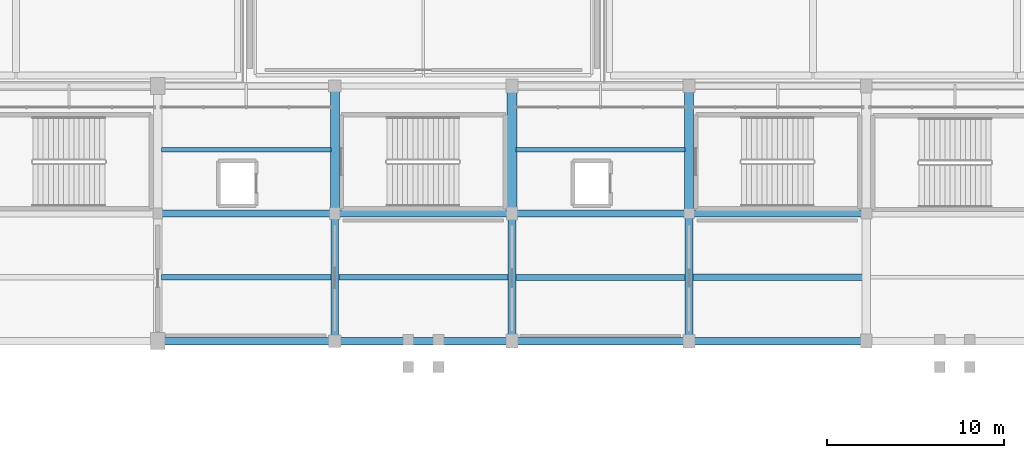
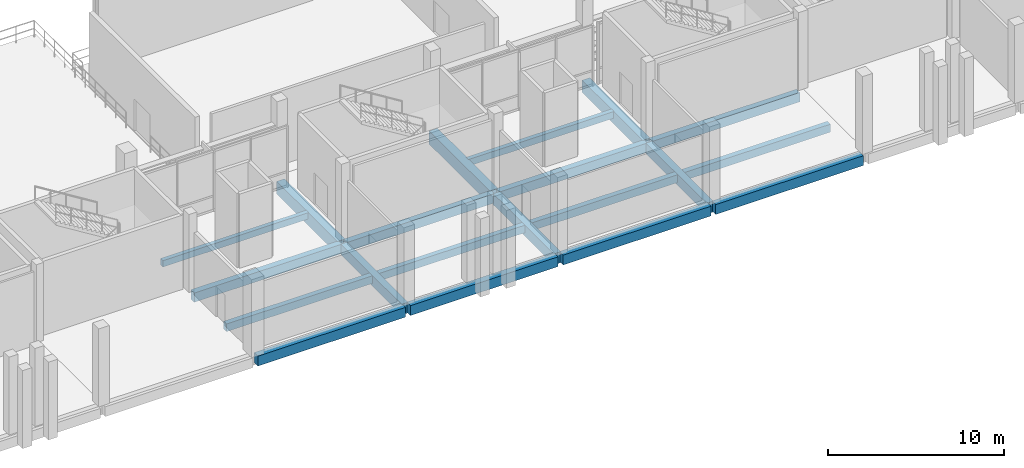
# One storey, part 50 of 111: 20 beams.
"""IFC4 building model written with IfcOpenShell, lengths in metres."""

from ifc_helpers import new_model, si_unit, direction, frame, origin, origin_2d, place, context, subcontext, project, spatial, rectangle, extrude, material, material_profile, profile_set, type_object, element, save


model = new_model("IFC4")

# Units and contexts
model_context = context("Model", 3, precision=1e-05, world=origin(), true_north=direction((0.0, 1.0)))
body_context = subcontext(model_context, "Body", "Model", "MODEL_VIEW")
ifc_project = project(units=[si_unit("LENGTHUNIT", "METRE"), si_unit("AREAUNIT", "SQUARE_METRE"), si_unit("VOLUMEUNIT", "CUBIC_METRE"), si_unit("PLANEANGLEUNIT", "RADIAN"), si_unit("MASSUNIT", "GRAM", prefix="KILO")], contexts=[model_context])

# Site, building, storey
site_placement = place(None, origin())
site = spatial("IfcSite", under=ifc_project, at=site_placement, CompositionType="ELEMENT")
building_placement = place(site_placement, origin())
building = spatial("IfcBuilding", under=site, at=building_placement, Name="Candeia Ridge Stadium", CompositionType="ELEMENT")
storey_placement = place(building_placement, frame((0.0, 0.0, 16.199951171875)))
storey = spatial("IfcBuildingStorey", under=building, at=storey_placement, Name="L03", CompositionType="ELEMENT", Elevation=16.199951171875)

# Beams
ifc_material_1 = material(Name="Concrete C45/55", Category="concrete")
ifc_material_profile_1 = material_profile(ifc_material_1, rectangle(XDim=0.449951171875, YDim=0.75, at=origin_2d()), Name="RC450x750", Category="concrete")
ifc_profile_set_1 = profile_set([ifc_material_profile_1], Name="Concrete C45/55")
beam_type_1 = type_object("IfcBeamType", Name="Bowl Radial Girder RC450x750", PredefinedType="BEAM", material=ifc_profile_set_1)
beam_1_placement = place(storey_placement, frame((121.0, 132.760009765625, -0.625), z_axis=(0.0, 1.0, 0.0), x_axis=(-1.0, 0.0, 0.0)))
element("IfcBeam", 1, at=beam_1_placement, inside=storey, type_object=beam_type_1, Name="Bowl radial girder BM-L03-0485", PredefinedType="BEAM", context=body_context, shape_type="SweptSolid", body=[
    extrude(rectangle(XDim=0.449951171875, YDim=0.75, at=origin_2d()), origin(), (0.0, 0.0, 1.0), 6.8798828125),
])
ifc_material_2 = material(Name="Concrete C40/50", Category="concrete")
ifc_material_profile_2 = material_profile(ifc_material_2, rectangle(XDim=0.35009765625, YDim=0.550048828125, at=origin_2d()), Name="RC350x550", Category="concrete")
ifc_profile_set_2 = profile_set([ifc_material_profile_2], Name="Concrete C40/50")
beam_type_2 = type_object("IfcBeamType", Name="Concourse Concrete Joist RC350x550", PredefinedType="JOIST", material=ifc_profile_set_2)
beam_2_placement = place(storey_placement, frame((130.778076171875, 136.199951171875, -0.52490234375), z_axis=(-1.0, 0.0, 0.0), x_axis=(0.0, -1.0, 0.0)))
element("IfcBeam", 2, at=beam_2_placement, inside=storey, type_object=beam_type_2, Name="Concourse secondary joist BM-L03-0560", PredefinedType="JOIST", context=body_context, shape_type="SweptSolid", body=[
    extrude(rectangle(XDim=0.35009765625, YDim=0.550048828125, at=origin_2d()), origin(), (0.0, 0.0, 1.0), 9.55615234375),
])
ifc_material_profile_3 = material_profile(ifc_material_2, rectangle(XDim=0.27001953125, YDim=0.43994140625, at=origin_2d()), Name="RC270x440", Category="concrete")
ifc_profile_set_3 = profile_set([ifc_material_profile_3], Name="Concrete C40/50")
beam_type_3 = type_object("IfcBeamType", Name="Floor Joist RC270x440", PredefinedType="JOIST", material=ifc_profile_set_3)
beam_3_placement = place(storey_placement, frame((100.778076171875, 143.39990234375, -0.469970703125), z_axis=(-1.0, 0.0, 0.0), x_axis=(0.0, -1.0, 0.0)))
element("IfcBeam", 3, at=beam_3_placement, inside=storey, type_object=beam_type_3, Name="Concourse secondary joist BM-L03-0574", PredefinedType="JOIST", context=body_context, shape_type="SweptSolid", body=[
    extrude(rectangle(XDim=0.27001953125, YDim=0.43994140625, at=origin_2d()), origin(), (0.0, 0.0, 1.0), 9.55615234375),
])
ifc_material_profile_4 = material_profile(ifc_material_2, rectangle(XDim=0.280029296875, YDim=0.4599609375, at=origin_2d()), Name="RC280x460", Category="concrete")
ifc_profile_set_4 = profile_set([ifc_material_profile_4], Name="Concrete C40/50")
beam_type_4 = type_object("IfcBeamType", Name="Floor Joist RC280x460", PredefinedType="JOIST", material=ifc_profile_set_4)
beam_4_placement = place(storey_placement, frame((120.778076171875, 143.39990234375, -0.47998046875), z_axis=(-1.0, 0.0, 0.0), x_axis=(0.0, -1.0, 0.0)))
element("IfcBeam", 4, at=beam_4_placement, inside=storey, type_object=beam_type_4, Name="Concourse secondary joist BM-L03-0565", PredefinedType="JOIST", context=body_context, shape_type="SweptSolid", body=[
    extrude(rectangle(XDim=0.280029296875, YDim=0.4599609375, at=origin_2d()), origin(), (0.0, 0.0, 1.0), 9.55615234375),
])
ifc_material_profile_5 = material_profile(ifc_material_2, rectangle(XDim=0.320068359375, YDim=0.52001953125, at=origin_2d()), Name="RC320x520", Category="concrete")
ifc_profile_set_5 = profile_set([ifc_material_profile_5], Name="Concrete C40/50")
beam_type_5 = type_object("IfcBeamType", Name="Floor Joist RC320x520", PredefinedType="JOIST", material=ifc_profile_set_5)
beam_5_placement = place(storey_placement, frame((110.778076171875, 136.199951171875, -0.510009765625), z_axis=(-1.0, 0.0, 0.0), x_axis=(0.0, -1.0, 0.0)))
element("IfcBeam", 5, at=beam_5_placement, inside=storey, type_object=beam_type_5, Name="Concourse secondary joist BM-L03-0569", PredefinedType="JOIST", context=body_context, shape_type="SweptSolid", body=[
    extrude(rectangle(XDim=0.320068359375, YDim=0.52001953125, at=origin_2d()), origin(), (0.0, 0.0, 1.0), 9.55615234375),
])
ifc_material_profile_6 = material_profile(ifc_material_2, rectangle(XDim=0.330078125, YDim=0.530029296875, at=origin_2d()), Name="RC330x530", Category="concrete")
ifc_profile_set_6 = profile_set([ifc_material_profile_6], Name="Concrete C40/50")
beam_type_6 = type_object("IfcBeamType", Name="Floor Joist RC330x530", PredefinedType="JOIST", material=ifc_profile_set_6)
beam_6_placement = place(storey_placement, frame((100.778076171875, 136.199951171875, -0.514892578125), z_axis=(-1.0, 0.0, 0.0), x_axis=(0.0, -1.0, 0.0)))
element("IfcBeam", 6, at=beam_6_placement, inside=storey, type_object=beam_type_6, Name="Concourse secondary joist BM-L03-0573", PredefinedType="JOIST", context=body_context, shape_type="SweptSolid", body=[
    extrude(rectangle(XDim=0.330078125, YDim=0.530029296875, at=origin_2d()), origin(), (0.0, 0.0, 1.0), 9.55615234375),
])
ifc_material_profile_7 = material_profile(ifc_material_2, rectangle(XDim=0.340087890625, YDim=0.5400390625, at=origin_2d()), Name="RC340x540", Category="concrete")
ifc_profile_set_7 = profile_set([ifc_material_profile_7], Name="Concrete C40/50")
beam_type_7 = type_object("IfcBeamType", Name="Floor Joist RC340x540", PredefinedType="JOIST", material=ifc_profile_set_7)
beam_7_placement = place(storey_placement, frame((120.778076171875, 136.199951171875, -0.52001953125), z_axis=(-1.0, 0.0, 0.0), x_axis=(0.0, -1.0, 0.0)))
element("IfcBeam", 7, at=beam_7_placement, inside=storey, type_object=beam_type_7, Name="Concourse secondary joist BM-L03-0564", PredefinedType="JOIST", context=body_context, shape_type="SweptSolid", body=[
    extrude(rectangle(XDim=0.340087890625, YDim=0.5400390625, at=origin_2d()), origin(), (0.0, 0.0, 1.0), 9.55615234375),
])
ifc_material_profile_8 = material_profile(ifc_material_2, rectangle(XDim=0.389892578125, YDim=0.639892578125, at=origin_2d()), Name="RC390x640", Category="concrete")
ifc_profile_set_8 = profile_set([ifc_material_profile_8], Name="Concrete C40/50")
beam_type_8 = type_object("IfcBeamType", Name="Frame Girder RC390x640", PredefinedType="BEAM", material=ifc_profile_set_8)
for number, where, z_axis, x_axis, name in (
    (8, (130.840087890625, 139.800048828125, -0.570068359375), (-1.0, 0.0, 0.0), (0.0, -1.0, 0.0), "Concourse spine girder BM-L03-0558"),
    (9, (120.840087890625, 139.800048828125, -0.570068359375), (-1.0, 0.0, 0.0), (0.0, -1.0, 0.0), "Concourse spine girder BM-L03-0562"),
    (10, (110.840087890625, 139.800048828125, -0.570068359375), (-1.0, 0.0, 0.0), (0.0, -1.0, 0.0), "Concourse spine girder BM-L03-0567"),
    (11, (100.840087890625, 139.800048828125, -0.570068359375), (-1.0, 0.0, 0.0), (0.0, -1.0, 0.0), "Concourse spine girder BM-L03-0571"),
):
    element("IfcBeam", number, at=place(storey_placement, frame(where, z_axis=z_axis, x_axis=x_axis)), inside=storey, type_object=beam_type_8, Name=name, PredefinedType="BEAM", context=body_context, shape_type="SweptSolid", body=[
        extrude(rectangle(XDim=0.389892578125, YDim=0.639892578125, at=origin_2d()), origin(), (0.0, 0.0, 1.0), 9.68017578125),
    ])
ifc_material_profile_9 = material_profile(ifc_material_2, rectangle(XDim=0.419921875, YDim=0.679931640625, at=origin_2d()), Name="RC420x680", Category="concrete")
ifc_profile_set_9 = profile_set([ifc_material_profile_9], Name="Concrete C40/50")
beam_type_9 = type_object("IfcBeamType", Name="Frame Girder RC420x680", PredefinedType="BEAM", material=ifc_profile_set_9)
for number, where, z_axis, x_axis, name in (
    (12, (130.840087890625, 132.60009765625, -0.58984375), (-1.0, 0.0, 0.0), (0.0, -1.0, 0.0), "Bowl inner ring girder BM-L03-0557"),
    (13, (120.840087890625, 132.60009765625, -0.58984375), (-1.0, 0.0, 0.0), (0.0, -1.0, 0.0), "Bowl inner ring girder BM-L03-0561"),
    (14, (110.840087890625, 132.60009765625, -0.58984375), (-1.0, 0.0, 0.0), (0.0, -1.0, 0.0), "Bowl inner ring girder BM-L03-0566"),
    (15, (100.840087890625, 132.60009765625, -0.58984375), (-1.0, 0.0, 0.0), (0.0, -1.0, 0.0), "Bowl inner ring girder BM-L03-0570"),
):
    element("IfcBeam", number, at=place(storey_placement, frame(where, z_axis=z_axis, x_axis=x_axis)), inside=storey, type_object=beam_type_9, Name=name, PredefinedType="BEAM", context=body_context, shape_type="SweptSolid", body=[
        extrude(rectangle(XDim=0.419921875, YDim=0.679931640625, at=origin_2d()), origin(), (0.0, 0.0, 1.0), 9.68017578125),
    ])
ifc_material_profile_10 = material_profile(ifc_material_2, rectangle(XDim=0.429931640625, YDim=0.739990234375, at=origin_2d()), Name="RC430x740", Category="concrete")
ifc_profile_set_10 = profile_set([ifc_material_profile_10], Name="Concrete C40/50")
beam_type_10 = type_object("IfcBeamType", Name="Frame Girder RC430x740", PredefinedType="BEAM", material=ifc_profile_set_10)
beam_8_placement = place(storey_placement, frame((101.0, 132.760009765625, -0.619873046875), z_axis=(0.0, 1.0, 0.0), x_axis=(-1.0, 0.0, 0.0)))
element("IfcBeam", 16, at=beam_8_placement, inside=storey, type_object=beam_type_10, Name="Bowl radial girder BM-L03-0489", PredefinedType="BEAM", context=body_context, shape_type="SweptSolid", body=[
    extrude(rectangle(XDim=0.429931640625, YDim=0.739990234375, at=origin_2d()), origin(), (0.0, 0.0, 1.0), 6.8798828125),
])
ifc_material_profile_11 = material_profile(ifc_material_2, rectangle(XDim=0.469970703125, YDim=0.760009765625, at=origin_2d()), Name="RC470x760", Category="concrete")
ifc_profile_set_11 = profile_set([ifc_material_profile_11], Name="Concrete C40/50")
beam_type_11 = type_object("IfcBeamType", Name="Frame Girder RC470x760", PredefinedType="BEAM", material=ifc_profile_set_11)
beam_9_placement = place(storey_placement, frame((111.0, 132.760009765625, -0.6298828125), z_axis=(0.0, 1.0, 0.0), x_axis=(-1.0, 0.0, 0.0)))
element("IfcBeam", 17, at=beam_9_placement, inside=storey, type_object=beam_type_11, Name="Bowl radial girder BM-L03-0487", PredefinedType="BEAM", context=body_context, shape_type="SweptSolid", body=[
    extrude(rectangle(XDim=0.469970703125, YDim=0.760009765625, at=origin_2d()), origin(), (0.0, 0.0, 1.0), 6.8798828125),
])
ifc_material_profile_12 = material_profile(ifc_material_1, rectangle(XDim=0.5, YDim=0.85009765625, at=origin_2d()), Name="RC500x850", Category="concrete")
ifc_profile_set_12 = profile_set([ifc_material_profile_12], Name="Concrete C45/55")
beam_type_12 = type_object("IfcBeamType", Name="Frame Girder RC500x850", PredefinedType="BEAM", material=ifc_profile_set_12)
beam_10_placement = place(storey_placement, frame((121.0, 139.9599609375, -0.675048828125), z_axis=(0.0, 1.0, 0.0), x_axis=(-1.0, 0.0, 0.0)))
element("IfcBeam", 18, at=beam_10_placement, inside=storey, type_object=beam_type_12, Name="Bowl radial girder BM-L03-0486", PredefinedType="BEAM", context=body_context, shape_type="SweptSolid", body=[
    extrude(rectangle(XDim=0.5, YDim=0.85009765625, at=origin_2d()), origin(), (0.0, 0.0, 1.0), 6.880126953125),
])
ifc_material_profile_13 = material_profile(ifc_material_1, rectangle(XDim=0.52001953125, YDim=0.8798828125, at=origin_2d()), Name="RC520x880", Category="concrete")
ifc_profile_set_13 = profile_set([ifc_material_profile_13], Name="Concrete C45/55")
beam_type_13 = type_object("IfcBeamType", Name="Frame Girder RC520x880", PredefinedType="BEAM", material=ifc_profile_set_13)
beam_11_placement = place(storey_placement, frame((101.0, 139.9599609375, -0.68994140625), z_axis=(0.0, 1.0, 0.0), x_axis=(-1.0, 0.0, 0.0)))
element("IfcBeam", 19, at=beam_11_placement, inside=storey, type_object=beam_type_13, Name="Bowl radial girder BM-L03-0490", PredefinedType="BEAM", context=body_context, shape_type="SweptSolid", body=[
    extrude(rectangle(XDim=0.52001953125, YDim=0.8798828125, at=origin_2d()), origin(), (0.0, 0.0, 1.0), 6.880126953125),
])
ifc_material_profile_14 = material_profile(ifc_material_1, rectangle(XDim=0.550048828125, YDim=0.919921875, at=origin_2d()), Name="RC550x920", Category="concrete")
ifc_profile_set_14 = profile_set([ifc_material_profile_14], Name="Concrete C45/55")
beam_type_14 = type_object("IfcBeamType", Name="Frame Girder RC550x920", PredefinedType="BEAM", material=ifc_profile_set_14)
beam_12_placement = place(storey_placement, frame((111.0, 139.9599609375, -0.7099609375), z_axis=(0.0, 1.0, 0.0), x_axis=(-1.0, 0.0, 0.0)))
element("IfcBeam", 20, at=beam_12_placement, inside=storey, type_object=beam_type_14, Name="Bowl radial girder BM-L03-0488", PredefinedType="BEAM", context=body_context, shape_type="SweptSolid", body=[
    extrude(rectangle(XDim=0.550048828125, YDim=0.919921875, at=origin_2d()), origin(), (0.0, 0.0, 1.0), 6.880126953125),
])

save(model, "model.ifc")
